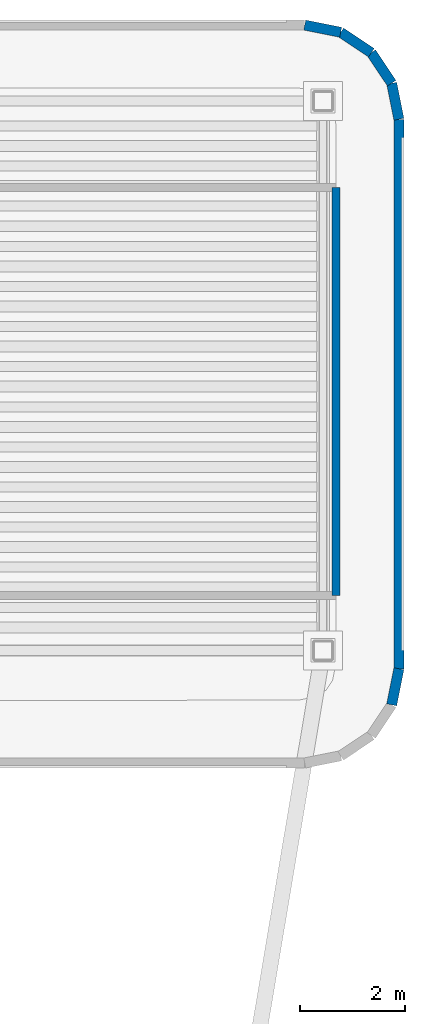
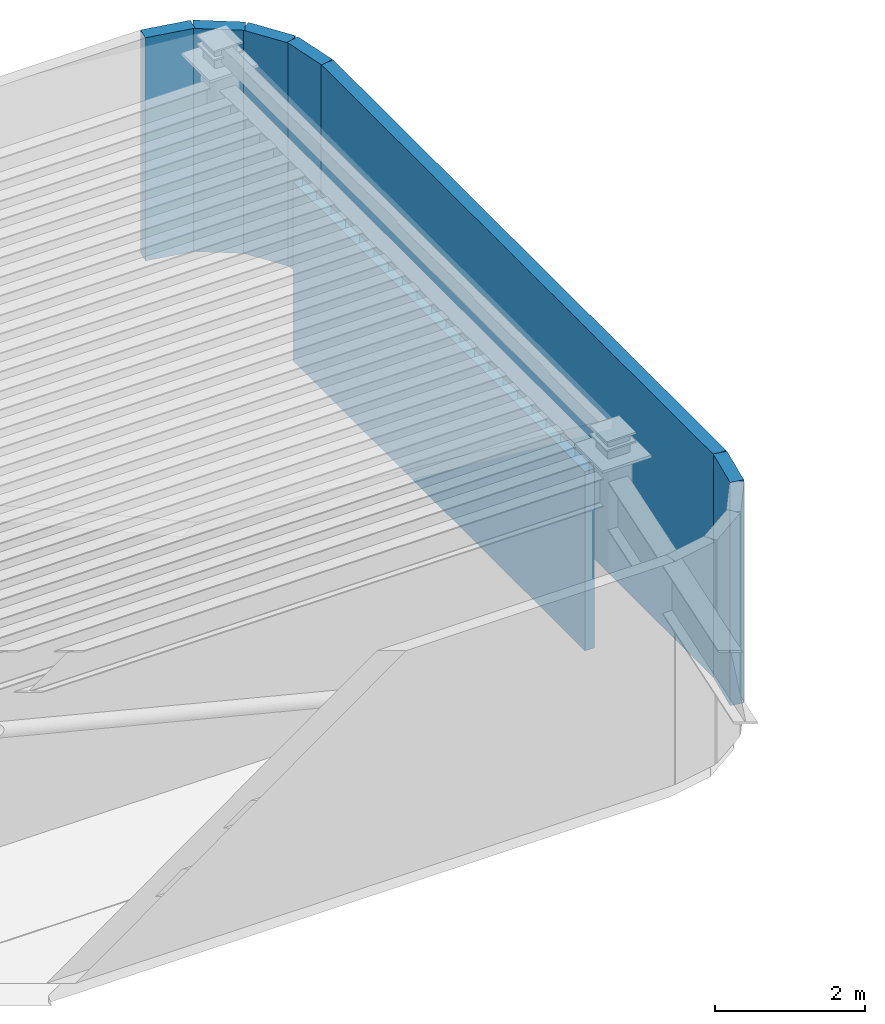
# One storey, part 6 of 7: 7 walls.
"""IFC4 building model written with IfcOpenShell, lengths in metres."""

import ifcopenshell
import ifcopenshell.guid

model = None  # the IFC model being written
_history = None  # IfcOwnerHistory: only IFC2X3 demands one
_inside = {}  # id of a spatial element -> (the spatial element, [elements in it])
_under = {}  # id of a project, library or spatial element -> (it, [spatial elements below it])
_declared = {}  # id of a project -> (the project, [libraries it declares])
_typed = {}  # id of a type object -> (the type object, [elements of that type])
_made_of = {}  # id of a material, layer set ... -> (it, [elements and type objects made of it])


def new_model(schema):
    """Start an empty IFC model of exactly this schema.

    Asked for "IFC4X3", IfcOpenShell would pick the latest addendum, in which some entities
    have other attributes; the version numbers below select the first issue.
    IFC2X3 requires an IfcOwnerHistory on every rooted entity: one is made here for all.
    """
    global model, _history
    if schema == "IFC4X3":
        model = ifcopenshell.file(schema_version=(4, 3, 0, 0))
    else:
        model = ifcopenshell.file(schema=schema)
    _inside.clear()
    _under.clear()
    _declared.clear()
    _typed.clear()
    _made_of.clear()
    _history = None
    if model.schema == "IFC2X3":
        org = make("IfcOrganization", Name="unknown")
        user = make(
            "IfcPersonAndOrganization",
            ThePerson=make("IfcPerson", FamilyName="unknown"),
            TheOrganization=org,
        )
        app = make(
            "IfcApplication",
            ApplicationDeveloper=org,
            Version="unknown",
            ApplicationFullName="unknown",
            ApplicationIdentifier="unknown",
        )
        _history = make(
            "IfcOwnerHistory",
            OwningUser=user,
            OwningApplication=app,
            ChangeAction="ADDED",
            CreationDate=0,
        )
    return model


def make(cls, **values):
    """One entity of the class cls with the attributes given. An attribute that is None is left unset."""
    return model.create_entity(
        cls, **{name: value for name, value in values.items() if value is not None}
    )


def rooted(cls, **values):
    """An entity with a GlobalId (a new one), such as an element, a storey or a relation."""
    return make(cls, GlobalId=ifcopenshell.guid.new(), OwnerHistory=_history, **values)


def si_unit(unit_type, name, prefix=None):
    """IfcSIUnit, for example si_unit("LENGTHUNIT", "METRE", prefix="MILLI")."""
    return make("IfcSIUnit", UnitType=unit_type, Prefix=prefix, Name=name)


def assignment(units):
    """IfcUnitAssignment: the units of a project."""
    return None if units is None else make("IfcUnitAssignment", Units=units)


def point(xyz):
    """IfcCartesianPoint."""
    return None if xyz is None else make("IfcCartesianPoint", Coordinates=xyz)


def direction(xyz):
    """IfcDirection."""
    return None if xyz is None else make("IfcDirection", DirectionRatios=xyz)


def frame(location, z_axis=None, x_axis=None):
    """IfcAxis2Placement3D, a coordinate frame: its origin and axes. An axis left out is left unset."""
    return make(
        "IfcAxis2Placement3D",
        Location=point(location),
        Axis=direction(z_axis),
        RefDirection=direction(x_axis),
    )


def frame_2d(location, x_axis=None):
    """IfcAxis2Placement2D, a coordinate frame in the plane: its origin and x axis."""
    return make(
        "IfcAxis2Placement2D", Location=point(location), RefDirection=direction(x_axis)
    )


def origin():
    """The frame at (0, 0, 0) with its axes left unset."""
    return frame((0.0, 0.0, 0.0))


def place(relative_to, where):
    """IfcLocalPlacement: puts the frame where relative to a parent placement (None: the world)."""
    return make(
        "IfcLocalPlacement", PlacementRelTo=relative_to, RelativePlacement=where
    )


def context(
    kind, dimensions, precision=None, world=None, true_north=None, identifier=None
):
    """IfcGeometricRepresentationContext, for example the 3D "Model" context."""
    return make(
        "IfcGeometricRepresentationContext",
        ContextIdentifier=identifier,
        ContextType=kind,
        CoordinateSpaceDimension=dimensions,
        Precision=precision,
        WorldCoordinateSystem=world,
        TrueNorth=true_north,
    )


def subcontext(parent, identifier, kind, view, scale=None):
    """IfcGeometricRepresentationSubContext, for example "Body" below "Model"."""
    return make(
        "IfcGeometricRepresentationSubContext",
        ContextIdentifier=identifier,
        ContextType=kind,
        ParentContext=parent,
        TargetScale=scale,
        TargetView=view,
    )


def project(units=None, contexts=None):
    """IfcProject with its units and contexts."""
    return rooted(
        "IfcProject",
        Name="project",
        RepresentationContexts=contexts,
        UnitsInContext=assignment(units),
    )


def spatial(cls, under=None, at=None, **own):
    """A site, building, storey or space (cls), placed at a placement, below another one or the project."""
    s = rooted(cls, ObjectPlacement=at, **own)
    if under is not None:
        _under.setdefault(under.id(), (under, []))[1].append(s)
    return s


def profile(cls, at=None, kind="AREA", **sizes):
    """A parametric profile (cls). Its sizes go by their IFC names, for example OverallWidth=200.0."""
    return make(cls, ProfileType=kind, Position=at, **sizes)


def rectangle(**sizes):
    """IfcRectangleProfileDef."""
    return profile("IfcRectangleProfileDef", **sizes)


def extrude(swept, where, along, depth):
    """IfcExtrudedAreaSolid: the profile swept, set in the frame where, extruded along a direction by depth."""
    return make(
        "IfcExtrudedAreaSolid",
        SweptArea=swept,
        Position=where,
        ExtrudedDirection=direction(along),
        Depth=depth,
    )


def shape(context_of_items, identifier, shape_type, items):
    """IfcShapeRepresentation: the items that make up one representation, for example the "Body"."""
    return make(
        "IfcShapeRepresentation",
        ContextOfItems=context_of_items,
        RepresentationIdentifier=identifier,
        RepresentationType=shape_type,
        Items=items,
    )


def material(Name=None, Category=None):
    """IfcMaterial."""
    return make("IfcMaterial", Name=Name, Category=Category)


def layer(
    of_material, thickness, ventilated=None, Name=None, Category=None, Priority=None
):
    """IfcMaterialLayer: one layer of a wall or slab, of a material (None: an air gap)."""
    return make(
        "IfcMaterialLayer",
        Material=of_material,
        LayerThickness=thickness,
        IsVentilated=ventilated,
        Name=Name,
        Category=Category,
        Priority=Priority,
    )


def layer_set(layers, Name=None):
    """IfcMaterialLayerSet."""
    return make("IfcMaterialLayerSet", MaterialLayers=layers, LayerSetName=Name)


def made_of(thing, what):
    """Note that an element or type object is made of a material, layer set ...; save() writes the relation."""
    if what is not None:
        _made_of.setdefault(what.id(), (what, []))[1].append(thing)
    return thing


def type_object(cls, material=None, **own):
    """A type object (cls), such as IfcWallType, which elements share."""
    return made_of(rooted(cls, **own), material)


def element(
    cls,
    number,
    at=None,
    inside=None,
    cuts=None,
    type_object=None,
    material=None,
    context=None,
    identifier="Body",
    shape_type=None,
    held_by="IfcProductDefinitionShape",
    body=None,
    shapes=None,
    **own,
):
    """One element of the class cls, such as IfcWall. Its Tag is "e" and its number.

    at: its placement. inside: the storey or other place that contains it. cuts: it is an
    opening in that element (IfcRelVoidsElement). A single representation is given by context,
    identifier, shape_type and body (its items); several are given by shapes. held_by: the class
    of the entity that holds the representations. save() writes the other relations.
    """
    e = rooted(cls, Tag="e%d" % number, ObjectPlacement=at, **own)
    if body is not None:
        shapes = [shape(context, identifier, shape_type, body)]
    if shapes is not None:
        e.Representation = make(held_by, Representations=shapes)
    if inside is not None:
        _inside.setdefault(inside.id(), (inside, []))[1].append(e)
    if cuts is not None:
        rooted(
            "IfcRelVoidsElement", RelatingBuildingElement=cuts, RelatedOpeningElement=e
        )
    if type_object is not None:
        _typed.setdefault(type_object.id(), (type_object, []))[1].append(e)
    return made_of(e, material)


def aggregate(whole, parts):
    """IfcRelAggregates: a whole, such as a stair, and the parts it consists of."""
    return rooted("IfcRelAggregates", RelatingObject=whole, RelatedObjects=parts)


def save(model, path):
    """Write the relations noted so far, then the file.

    IfcRelAggregates (storeys below a building ...), IfcRelContainedInSpatialStructure (elements
    in a storey), IfcRelDefinesByType, IfcRelAssociatesMaterial and IfcRelDeclares: one each for
    every whole, place, type object, material and project.
    """
    for whole, parts in _under.values():
        aggregate(whole, parts)
    for where, things in _inside.values():
        rooted(
            "IfcRelContainedInSpatialStructure",
            RelatedElements=things,
            RelatingStructure=where,
        )
    for kind, things in _typed.values():
        rooted("IfcRelDefinesByType", RelatedObjects=things, RelatingType=kind)
    for what, things in _made_of.values():
        rooted("IfcRelAssociatesMaterial", RelatedObjects=things, RelatingMaterial=what)
    for by, libraries in _declared.values():
        rooted("IfcRelDeclares", RelatingContext=by, RelatedDefinitions=libraries)
    model.write(path)


model = new_model("IFC4")

# Units and contexts
model_context = context("Model", 3, precision=1e-05, world=origin(), true_north=direction((0.0, 1.0)))
body_context = subcontext(model_context, "Body", "Model", "MODEL_VIEW")
ifc_project = project(units=[si_unit("LENGTHUNIT", "METRE"), si_unit("AREAUNIT", "SQUARE_METRE"), si_unit("VOLUMEUNIT", "CUBIC_METRE"), si_unit("PLANEANGLEUNIT", "RADIAN"), si_unit("MASSUNIT", "GRAM", prefix="KILO")], contexts=[model_context])

# Site, building, storey
site_placement = place(None, origin())
site = spatial("IfcSite", under=ifc_project, at=site_placement, CompositionType="ELEMENT")
building_placement = place(site_placement, origin())
building = spatial("IfcBuilding", under=site, at=building_placement, Name="Brelvock Crest Care Tower", CompositionType="ELEMENT")
storey_placement = place(building_placement, frame((0.0, 0.0, 315.719970703125)))
storey = spatial("IfcBuildingStorey", under=building, at=storey_placement, Name="L80", CompositionType="ELEMENT", Elevation=315.719970703125)

# Walls
ifc_material_1 = material(Name="Precast concrete N40 (40 MPa)", Category="concrete")
ifc_layer_1 = layer(ifc_material_1, 0.195068359375, Name="WL-EX3")
ifc_layer_set_1 = layer_set([ifc_layer_1], Name="Precast concrete N40 (40 MPa)")
wall_type_1 = type_object("IfcWallType", Name="WL-EX3", PredefinedType="SOLIDWALL", material=ifc_layer_set_1)
wall_1_placement = place(storey_placement, frame((52.0, 55.89990234375, 0.0), z_axis=(0.0, 0.0, 1.0), x_axis=(0.980794046625, -0.195046246068, 0.0)))
element("IfcWall", 1, at=wall_1_placement, inside=storey, type_object=wall_type_1, Name="L80 Crown and Plant Cladding Wall 24", PredefinedType="SOLIDWALL", context=body_context, shape_type="SweptSolid", body=[
    extrude(rectangle(XDim=0.7021484375, YDim=0.195068359375, at=frame_2d((0.35107421875, 0.0))), origin(), (0.0, 0.0, 1.0), 3.64013671875),
])
for number, where, z_axis, x_axis, name in (
    (2, (52.688720703125, 55.762939453125, 0.0), (0.0, 0.0, 1.0), (0.831515102434, -0.555502146192, 0.0), "L80 Crown and Plant Cladding Wall 25"),
    (3, (53.272705078125, 55.372802734375, 0.0), (0.0, 0.0, 1.0), (0.555742429414, -0.831354528555, 0.0), "L80 Crown and Plant Cladding Wall 26"),
):
    element("IfcWall", number, at=place(storey_placement, frame(where, z_axis=z_axis, x_axis=x_axis)), inside=storey, type_object=wall_type_1, Name=name, PredefinedType="SOLIDWALL", context=body_context, shape_type="SweptSolid", body=[
        extrude(rectangle(XDim=0.702392578125, YDim=0.195068359375, at=frame_2d((0.35107421875, 0.0))), origin(), (0.0, 0.0, 1.0), 3.64013671875),
    ])
wall_2_placement = place(storey_placement, frame((53.6630859375, 54.788818359375, 0.0), z_axis=(0.0, 0.0, 1.0), x_axis=(0.195046246068, -0.980794046625, 0.0)))
element("IfcWall", 4, at=wall_2_placement, inside=storey, type_object=wall_type_1, Name="L80 Crown and Plant Cladding Wall 27", PredefinedType="SOLIDWALL", context=body_context, shape_type="SweptSolid", body=[
    extrude(rectangle(XDim=0.7021484375, YDim=0.195068359375, at=frame_2d((0.35107421875, 0.0))), origin(), (0.0, 0.0, 1.0), 3.64013671875),
])
wall_3_placement = place(storey_placement, frame((53.800048828125, 54.10009765625, 0.0), z_axis=(0.0, 0.0, 1.0), x_axis=(0.0, -1.0, 0.0)))
element("IfcWall", 5, at=wall_3_placement, inside=storey, type_object=wall_type_1, Name="L80 Crown and Plant Cladding Wall 28", PredefinedType="SOLIDWALL", context=body_context, shape_type="SweptSolid", body=[
    extrude(rectangle(XDim=10.5, YDim=0.195068359375, at=frame_2d((5.25, 0.0))), origin(), (0.0, 0.0, 1.0), 3.64013671875),
])
wall_4_placement = place(storey_placement, frame((53.800048828125, 43.60009765625, 0.0), z_axis=(0.0, 0.0, 1.0), x_axis=(-0.194979757801, -0.980807266515, 0.0)))
element("IfcWall", 6, at=wall_4_placement, inside=storey, type_object=wall_type_1, Name="L80 Crown and Plant Cladding Wall 29", PredefinedType="SOLIDWALL", context=body_context, shape_type="SweptSolid", body=[
    extrude(rectangle(XDim=0.702392578125, YDim=0.195068359375, at=frame_2d((0.35107421875, 0.0))), origin(), (0.0, 0.0, 1.0), 3.64013671875),
])
ifc_material_2 = material(Name="Masonry Blockwork Acoustic Partition", Category="masonry")
ifc_layer_2 = layer(ifc_material_2, 0.14990234375, Name="WL-INT1")
ifc_layer_set_2 = layer_set([ifc_layer_2], Name="Masonry Blockwork Acoustic Partition")
wall_type_2 = type_object("IfcWallType", Name="WL-INT1", PredefinedType="PARTITIONING", material=ifc_layer_set_2)
wall_5_placement = place(storey_placement, frame((52.60009765625, 45.0, 0.0), z_axis=(0.0, 0.0, 1.0), x_axis=(0.0, 1.0, 0.0)))
element("IfcWall", 7, at=wall_5_placement, inside=storey, type_object=wall_type_2, Name="L80 Interior Wall WL-BX-L80-CRME-E", PredefinedType="PARTITIONING", context=body_context, shape_type="SweptSolid", body=[
    extrude(rectangle(XDim=7.800048828125, YDim=0.14990234375, at=frame_2d((3.89990234375, 0.0))), origin(), (0.0, 0.0, 1.0), 2.925048828125),
])

save(model, "model.ifc")
